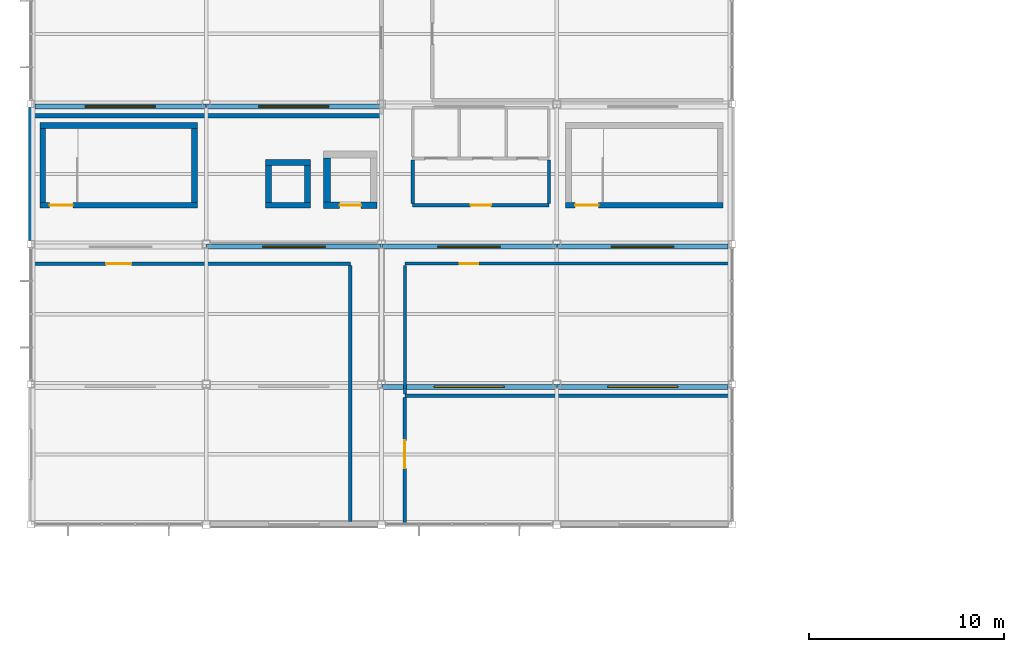
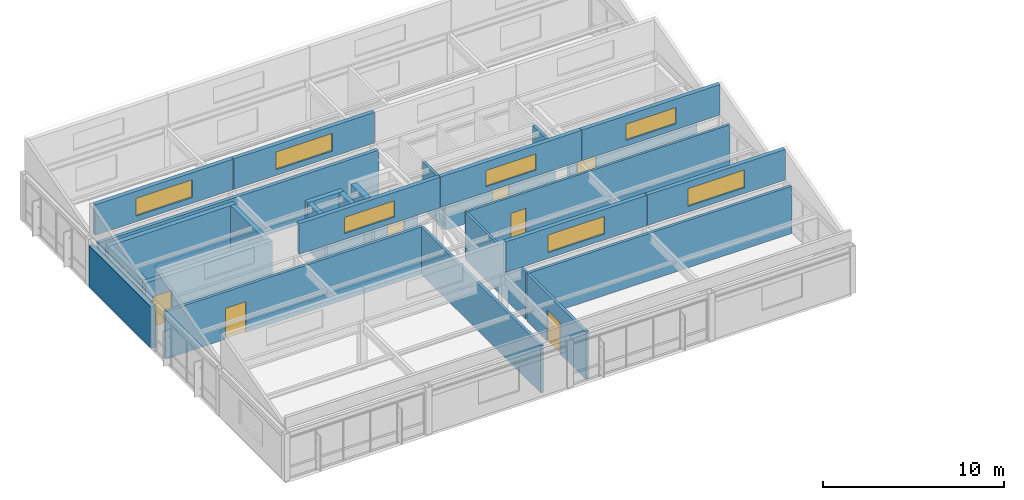
# One storey, part 35 of 43: 29 walls, 7 doors, 7 windows, 14 openings.
"""IFC4 building model written with IfcOpenShell, lengths in metres."""

import ifcopenshell
import ifcopenshell.guid

model = None  # the IFC model being written
_history = None  # IfcOwnerHistory: only IFC2X3 demands one
_inside = {}  # id of a spatial element -> (the spatial element, [elements in it])
_under = {}  # id of a project, library or spatial element -> (it, [spatial elements below it])
_declared = {}  # id of a project -> (the project, [libraries it declares])
_typed = {}  # id of a type object -> (the type object, [elements of that type])
_made_of = {}  # id of a material, layer set ... -> (it, [elements and type objects made of it])


def new_model(schema):
    """Start an empty IFC model of exactly this schema.

    Asked for "IFC4X3", IfcOpenShell would pick the latest addendum, in which some entities
    have other attributes; the version numbers below select the first issue.
    IFC2X3 requires an IfcOwnerHistory on every rooted entity: one is made here for all.
    """
    global model, _history
    if schema == "IFC4X3":
        model = ifcopenshell.file(schema_version=(4, 3, 0, 0))
    else:
        model = ifcopenshell.file(schema=schema)
    _inside.clear()
    _under.clear()
    _declared.clear()
    _typed.clear()
    _made_of.clear()
    _history = None
    if model.schema == "IFC2X3":
        org = make("IfcOrganization", Name="unknown")
        user = make(
            "IfcPersonAndOrganization",
            ThePerson=make("IfcPerson", FamilyName="unknown"),
            TheOrganization=org,
        )
        app = make(
            "IfcApplication",
            ApplicationDeveloper=org,
            Version="unknown",
            ApplicationFullName="unknown",
            ApplicationIdentifier="unknown",
        )
        _history = make(
            "IfcOwnerHistory",
            OwningUser=user,
            OwningApplication=app,
            ChangeAction="ADDED",
            CreationDate=0,
        )
    return model


def make(cls, **values):
    """One entity of the class cls with the attributes given. An attribute that is None is left unset."""
    return model.create_entity(
        cls, **{name: value for name, value in values.items() if value is not None}
    )


def rooted(cls, **values):
    """An entity with a GlobalId (a new one), such as an element, a storey or a relation."""
    return make(cls, GlobalId=ifcopenshell.guid.new(), OwnerHistory=_history, **values)


def si_unit(unit_type, name, prefix=None):
    """IfcSIUnit, for example si_unit("LENGTHUNIT", "METRE", prefix="MILLI")."""
    return make("IfcSIUnit", UnitType=unit_type, Prefix=prefix, Name=name)


def assignment(units):
    """IfcUnitAssignment: the units of a project."""
    return None if units is None else make("IfcUnitAssignment", Units=units)


def point(xyz):
    """IfcCartesianPoint."""
    return None if xyz is None else make("IfcCartesianPoint", Coordinates=xyz)


def direction(xyz):
    """IfcDirection."""
    return None if xyz is None else make("IfcDirection", DirectionRatios=xyz)


def frame(location, z_axis=None, x_axis=None):
    """IfcAxis2Placement3D, a coordinate frame: its origin and axes. An axis left out is left unset."""
    return make(
        "IfcAxis2Placement3D",
        Location=point(location),
        Axis=direction(z_axis),
        RefDirection=direction(x_axis),
    )


def frame_2d(location, x_axis=None):
    """IfcAxis2Placement2D, a coordinate frame in the plane: its origin and x axis."""
    return make(
        "IfcAxis2Placement2D", Location=point(location), RefDirection=direction(x_axis)
    )


def origin():
    """The frame at (0, 0, 0) with its axes left unset."""
    return frame((0.0, 0.0, 0.0))


def place(relative_to, where):
    """IfcLocalPlacement: puts the frame where relative to a parent placement (None: the world)."""
    return make(
        "IfcLocalPlacement", PlacementRelTo=relative_to, RelativePlacement=where
    )


def context(
    kind, dimensions, precision=None, world=None, true_north=None, identifier=None
):
    """IfcGeometricRepresentationContext, for example the 3D "Model" context."""
    return make(
        "IfcGeometricRepresentationContext",
        ContextIdentifier=identifier,
        ContextType=kind,
        CoordinateSpaceDimension=dimensions,
        Precision=precision,
        WorldCoordinateSystem=world,
        TrueNorth=true_north,
    )


def subcontext(parent, identifier, kind, view, scale=None):
    """IfcGeometricRepresentationSubContext, for example "Body" below "Model"."""
    return make(
        "IfcGeometricRepresentationSubContext",
        ContextIdentifier=identifier,
        ContextType=kind,
        ParentContext=parent,
        TargetScale=scale,
        TargetView=view,
    )


def project(units=None, contexts=None):
    """IfcProject with its units and contexts."""
    return rooted(
        "IfcProject",
        Name="project",
        RepresentationContexts=contexts,
        UnitsInContext=assignment(units),
    )


def spatial(cls, under=None, at=None, **own):
    """A site, building, storey or space (cls), placed at a placement, below another one or the project."""
    s = rooted(cls, ObjectPlacement=at, **own)
    if under is not None:
        _under.setdefault(under.id(), (under, []))[1].append(s)
    return s


def profile(cls, at=None, kind="AREA", **sizes):
    """A parametric profile (cls). Its sizes go by their IFC names, for example OverallWidth=200.0."""
    return make(cls, ProfileType=kind, Position=at, **sizes)


def rectangle(**sizes):
    """IfcRectangleProfileDef."""
    return profile("IfcRectangleProfileDef", **sizes)


def extrude(swept, where, along, depth):
    """IfcExtrudedAreaSolid: the profile swept, set in the frame where, extruded along a direction by depth."""
    return make(
        "IfcExtrudedAreaSolid",
        SweptArea=swept,
        Position=where,
        ExtrudedDirection=direction(along),
        Depth=depth,
    )


def shape(context_of_items, identifier, shape_type, items):
    """IfcShapeRepresentation: the items that make up one representation, for example the "Body"."""
    return make(
        "IfcShapeRepresentation",
        ContextOfItems=context_of_items,
        RepresentationIdentifier=identifier,
        RepresentationType=shape_type,
        Items=items,
    )


def material(Name=None, Category=None):
    """IfcMaterial."""
    return make("IfcMaterial", Name=Name, Category=Category)


def layer(
    of_material, thickness, ventilated=None, Name=None, Category=None, Priority=None
):
    """IfcMaterialLayer: one layer of a wall or slab, of a material (None: an air gap)."""
    return make(
        "IfcMaterialLayer",
        Material=of_material,
        LayerThickness=thickness,
        IsVentilated=ventilated,
        Name=Name,
        Category=Category,
        Priority=Priority,
    )


def layer_set(layers, Name=None):
    """IfcMaterialLayerSet."""
    return make("IfcMaterialLayerSet", MaterialLayers=layers, LayerSetName=Name)


def made_of(thing, what):
    """Note that an element or type object is made of a material, layer set ...; save() writes the relation."""
    if what is not None:
        _made_of.setdefault(what.id(), (what, []))[1].append(thing)
    return thing


def type_object(cls, material=None, **own):
    """A type object (cls), such as IfcWallType, which elements share."""
    return made_of(rooted(cls, **own), material)


def element(
    cls,
    number,
    at=None,
    inside=None,
    cuts=None,
    type_object=None,
    material=None,
    context=None,
    identifier="Body",
    shape_type=None,
    held_by="IfcProductDefinitionShape",
    body=None,
    shapes=None,
    **own,
):
    """One element of the class cls, such as IfcWall. Its Tag is "e" and its number.

    at: its placement. inside: the storey or other place that contains it. cuts: it is an
    opening in that element (IfcRelVoidsElement). A single representation is given by context,
    identifier, shape_type and body (its items); several are given by shapes. held_by: the class
    of the entity that holds the representations. save() writes the other relations.
    """
    e = rooted(cls, Tag="e%d" % number, ObjectPlacement=at, **own)
    if body is not None:
        shapes = [shape(context, identifier, shape_type, body)]
    if shapes is not None:
        e.Representation = make(held_by, Representations=shapes)
    if inside is not None:
        _inside.setdefault(inside.id(), (inside, []))[1].append(e)
    if cuts is not None:
        rooted(
            "IfcRelVoidsElement", RelatingBuildingElement=cuts, RelatedOpeningElement=e
        )
    if type_object is not None:
        _typed.setdefault(type_object.id(), (type_object, []))[1].append(e)
    return made_of(e, material)


def fill(opening, filler):
    """IfcRelFillsElement: the door or window that sits in an opening."""
    return rooted(
        "IfcRelFillsElement",
        RelatingOpeningElement=opening,
        RelatedBuildingElement=filler,
    )


def aggregate(whole, parts):
    """IfcRelAggregates: a whole, such as a stair, and the parts it consists of."""
    return rooted("IfcRelAggregates", RelatingObject=whole, RelatedObjects=parts)


def save(model, path):
    """Write the relations noted so far, then the file.

    IfcRelAggregates (storeys below a building ...), IfcRelContainedInSpatialStructure (elements
    in a storey), IfcRelDefinesByType, IfcRelAssociatesMaterial and IfcRelDeclares: one each for
    every whole, place, type object, material and project.
    """
    for whole, parts in _under.values():
        aggregate(whole, parts)
    for where, things in _inside.values():
        rooted(
            "IfcRelContainedInSpatialStructure",
            RelatedElements=things,
            RelatingStructure=where,
        )
    for kind, things in _typed.values():
        rooted("IfcRelDefinesByType", RelatedObjects=things, RelatingType=kind)
    for what, things in _made_of.values():
        rooted("IfcRelAssociatesMaterial", RelatedObjects=things, RelatingMaterial=what)
    for by, libraries in _declared.values():
        rooted("IfcRelDeclares", RelatingContext=by, RelatedDefinitions=libraries)
    model.write(path)


model = new_model("IFC4")

# Units and contexts
model_context = context("Model", 3, precision=1e-05, world=origin(), true_north=direction((0.0, 1.0)))
body_context = subcontext(model_context, "Body", "Model", "MODEL_VIEW")
ifc_project = project(units=[si_unit("LENGTHUNIT", "METRE"), si_unit("AREAUNIT", "SQUARE_METRE"), si_unit("VOLUMEUNIT", "CUBIC_METRE"), si_unit("PLANEANGLEUNIT", "RADIAN"), si_unit("MASSUNIT", "GRAM", prefix="KILO")], contexts=[model_context])

# Site, building, storey
site_placement = place(None, origin())
site = spatial("IfcSite", under=ifc_project, at=site_placement, CompositionType="ELEMENT")
building_placement = place(site_placement, origin())
building = spatial("IfcBuilding", under=site, at=building_placement, Name="Kazanami Central Library", CompositionType="ELEMENT")
storey_placement = place(building_placement, frame((0.0, 0.0, 20.60009765625)))
storey = spatial("IfcBuildingStorey", under=building, at=storey_placement, Name="L06", CompositionType="ELEMENT", Elevation=20.60009765625)

# Wall, opening, window
ifc_material_1 = material(Name="Concrete Fc36 (36 MPa)", Category="concrete")
ifc_layer_1 = layer(ifc_material_1, 0.179931640625, Name="Concrete Fc36 (36 MPa)")
ifc_material_2 = material(Name="Extruded Polystyrene XPS", Category="earth")
ifc_layer_2 = layer(ifc_material_2, 0.050048828125, Name="Extruded Polystyrene XPS")
ifc_material_3 = material(Name="Honed Inada Granite", Category="masonry")
ifc_layer_3 = layer(ifc_material_3, 0.030029296875, Name="Honed Inada Granite")
ifc_layer_set_1 = layer_set([ifc_layer_1, ifc_layer_2, ifc_layer_3], Name="Concrete Fc36 (36 MPa)")
wall_type_1 = type_object("IfcWallType", Name="WAL-EW-260", PredefinedType="STANDARD", material=ifc_layer_set_1)
wall_1_placement = place(storey_placement, frame((26.97998046875, 71.8701171875, 3.39990234375), z_axis=(0.0, 0.0, 1.0), x_axis=(-1.0, 0.0, 0.0)))
wall_1 = element("IfcWall", 1, at=wall_1_placement, inside=storey, type_object=wall_type_1, Name="North-Light Sawtooth Clerestory Wall SAW-L06-V4-1 Bay 3", PredefinedType="STANDARD", context=body_context, shape_type="SweptSolid", body=[
    extrude(rectangle(XDim=8.9599609375, YDim=0.260009765625, at=frame_2d((4.47998046875, 0.0))), origin(), (0.0, 0.0, 1.0), 2.050048828125),
])
opening_1_placement = place(wall_1_placement, frame((2.679931640625, 0.0, 0.3798828125)))
opening_1 = element("IfcOpeningElement", 2, at=opening_1_placement, cuts=wall_1, Name="Opening WN-CL1", PredefinedType="OPENING", context=body_context, shape_type="SweptSolid", body=[
    extrude(rectangle(XDim=3.60009765625, YDim=1.199951171875, at=frame_2d((1.800048828125, 0.60009765625))), frame((0.0, 0.14208984375, 0.0), z_axis=(0.0, -1.0, 0.0), x_axis=(1.0, 0.0, 0.0)), (0.0, 0.0, 1.0), 0.283935546875),
])
ifc_material_4 = material(Name="Low-E Insulated Triple Glass", Category="glass")
window_type_1 = type_object("IfcWindowType", Name="WIN-WN-CL1", PartitioningType="DOUBLE_PANEL_VERTICAL", PredefinedType="WINDOW", material=ifc_material_4)
window_1_placement = place(opening_1_placement, origin())
window_1 = element("IfcWindow", 3, at=window_1_placement, inside=storey, type_object=window_type_1, Name="North-Light Sawtooth Clerestory Window WN-CL1 SAW-L06-V4-1.3", OverallHeight=1.199951171875, OverallWidth=3.60009765625, PartitioningType="DOUBLE_PANEL_VERTICAL", PredefinedType="WINDOW", context=body_context, shape_type="SweptSolid", body=[
    extrude(rectangle(XDim=3.60009765625, YDim=1.199951171875, at=frame_2d((1.800048828125, 0.60009765625))), frame((0.0, 0.030029296875, 0.0), z_axis=(0.0, -1.0, 0.0), x_axis=(1.0, 0.0, 0.0)), (0.0, 0.0, 1.0), 0.06005859375),
])
fill(opening_1, window_1)

wall_2_placement = place(storey_placement, frame((35.800048828125, 71.8701171875, 3.39990234375), z_axis=(0.0, 0.0, 1.0), x_axis=(-1.0, 0.0, 0.0)))
wall_2 = element("IfcWall", 4, at=wall_2_placement, inside=storey, type_object=wall_type_1, Name="North-Light Sawtooth Clerestory Wall SAW-L06-V4-1 Bay 4", PredefinedType="STANDARD", context=body_context, shape_type="SweptSolid", body=[
    extrude(rectangle(XDim=8.780029296875, YDim=0.260009765625, at=frame_2d((4.39013671875, 0.0))), origin(), (0.0, 0.0, 1.0), 2.050048828125),
])
opening_2_placement = place(wall_2_placement, frame((2.590087890625, 0.0, 0.3798828125)))
opening_2 = element("IfcOpeningElement", 5, at=opening_2_placement, cuts=wall_2, Name="Opening WN-CL1", PredefinedType="OPENING", context=body_context, shape_type="SweptSolid", body=[
    extrude(rectangle(XDim=3.60009765625, YDim=1.199951171875, at=frame_2d((1.800048828125, 0.60009765625))), frame((0.0, 0.14208984375, 0.0), z_axis=(0.0, -1.0, 0.0), x_axis=(1.0, 0.0, 0.0)), (0.0, 0.0, 1.0), 0.283935546875),
])
window_2_placement = place(opening_2_placement, origin())
window_2 = element("IfcWindow", 6, at=window_2_placement, inside=storey, type_object=window_type_1, Name="North-Light Sawtooth Clerestory Window WN-CL1 SAW-L06-V4-1.4", OverallHeight=1.199951171875, OverallWidth=3.60009765625, PartitioningType="DOUBLE_PANEL_VERTICAL", PredefinedType="WINDOW", context=body_context, shape_type="SweptSolid", body=[
    extrude(rectangle(XDim=3.60009765625, YDim=1.199951171875, at=frame_2d((1.800048828125, 0.60009765625))), frame((0.0, 0.030029296875, 0.0), z_axis=(0.0, -1.0, 0.0), x_axis=(1.0, 0.0, 0.0)), (0.0, 0.0, 1.0), 0.06005859375),
])
fill(opening_2, window_2)

wall_3_placement = place(storey_placement, frame((17.97998046875, 79.070068359375, 3.39990234375), z_axis=(0.0, 0.0, 1.0), x_axis=(-1.0, 0.0, 0.0)))
wall_3 = element("IfcWall", 7, at=wall_3_placement, inside=storey, type_object=wall_type_1, Name="North-Light Sawtooth Clerestory Wall SAW-L06-V4-2 Bay 2", PredefinedType="STANDARD", context=body_context, shape_type="SweptSolid", body=[
    extrude(rectangle(XDim=8.9599609375, YDim=0.260009765625, at=frame_2d((4.47998046875, 0.0))), origin(), (0.0, 0.0, 1.0), 2.050048828125),
])
opening_3_placement = place(wall_3_placement, frame((2.8798828125, 0.0, 0.3798828125)))
opening_3 = element("IfcOpeningElement", 8, at=opening_3_placement, cuts=wall_3, Name="Opening WN-CL2", PredefinedType="OPENING", context=body_context, shape_type="SweptSolid", body=[
    extrude(rectangle(XDim=3.199951171875, YDim=1.10009765625, at=frame_2d((1.60009765625, 0.550048828125))), frame((0.0, 0.14208984375, 0.0), z_axis=(0.0, -1.0, 0.0), x_axis=(1.0, 0.0, 0.0)), (0.0, 0.0, 1.0), 0.283935546875),
])
window_type_2 = type_object("IfcWindowType", Name="WIN-WN-CL2", PartitioningType="DOUBLE_PANEL_VERTICAL", PredefinedType="WINDOW", material=ifc_material_4)
window_3_placement = place(opening_3_placement, origin())
window_3 = element("IfcWindow", 9, at=window_3_placement, inside=storey, type_object=window_type_2, Name="North-Light Sawtooth Clerestory Window WN-CL2 SAW-L06-V4-2.2", OverallHeight=1.10009765625, OverallWidth=3.199951171875, PartitioningType="DOUBLE_PANEL_VERTICAL", PredefinedType="WINDOW", context=body_context, shape_type="SweptSolid", body=[
    extrude(rectangle(XDim=3.199951171875, YDim=1.10009765625, at=frame_2d((1.60009765625, 0.550048828125))), frame((0.0, 0.030029296875, 0.0), z_axis=(0.0, -1.0, 0.0), x_axis=(1.0, 0.0, 0.0)), (0.0, 0.0, 1.0), 0.06005859375),
])
fill(opening_3, window_3)

wall_4_placement = place(storey_placement, frame((26.97998046875, 79.070068359375, 3.39990234375), z_axis=(0.0, 0.0, 1.0), x_axis=(-1.0, 0.0, 0.0)))
wall_4 = element("IfcWall", 10, at=wall_4_placement, inside=storey, type_object=wall_type_1, Name="North-Light Sawtooth Clerestory Wall SAW-L06-V4-2 Bay 3", PredefinedType="STANDARD", context=body_context, shape_type="SweptSolid", body=[
    extrude(rectangle(XDim=8.9599609375, YDim=0.260009765625, at=frame_2d((4.47998046875, 0.0))), origin(), (0.0, 0.0, 1.0), 2.050048828125),
])
opening_4_placement = place(wall_4_placement, frame((2.8798828125, 0.0, 0.3798828125)))
opening_4 = element("IfcOpeningElement", 11, at=opening_4_placement, cuts=wall_4, Name="Opening WN-CL2", PredefinedType="OPENING", context=body_context, shape_type="SweptSolid", body=[
    extrude(rectangle(XDim=3.199951171875, YDim=1.10009765625, at=frame_2d((1.60009765625, 0.550048828125))), frame((0.0, 0.14208984375, 0.0), z_axis=(0.0, -1.0, 0.0), x_axis=(1.0, 0.0, 0.0)), (0.0, 0.0, 1.0), 0.283935546875),
])
window_4_placement = place(opening_4_placement, origin())
window_4 = element("IfcWindow", 12, at=window_4_placement, inside=storey, type_object=window_type_2, Name="North-Light Sawtooth Clerestory Window WN-CL2 SAW-L06-V4-2.3", OverallHeight=1.10009765625, OverallWidth=3.199951171875, PartitioningType="DOUBLE_PANEL_VERTICAL", PredefinedType="WINDOW", context=body_context, shape_type="SweptSolid", body=[
    extrude(rectangle(XDim=3.199951171875, YDim=1.10009765625, at=frame_2d((1.60009765625, 0.550048828125))), frame((0.0, 0.030029296875, 0.0), z_axis=(0.0, -1.0, 0.0), x_axis=(1.0, 0.0, 0.0)), (0.0, 0.0, 1.0), 0.06005859375),
])
fill(opening_4, window_4)

wall_5_placement = place(storey_placement, frame((35.800048828125, 79.070068359375, 3.39990234375), z_axis=(0.0, 0.0, 1.0), x_axis=(-1.0, 0.0, 0.0)))
wall_5 = element("IfcWall", 13, at=wall_5_placement, inside=storey, type_object=wall_type_1, Name="North-Light Sawtooth Clerestory Wall SAW-L06-V4-2 Bay 4", PredefinedType="STANDARD", context=body_context, shape_type="SweptSolid", body=[
    extrude(rectangle(XDim=8.780029296875, YDim=0.260009765625, at=frame_2d((4.39013671875, 0.0))), origin(), (0.0, 0.0, 1.0), 2.050048828125),
])
opening_5_placement = place(wall_5_placement, frame((2.7900390625, 0.0, 0.3798828125)))
opening_5 = element("IfcOpeningElement", 14, at=opening_5_placement, cuts=wall_5, Name="Opening WN-CL2", PredefinedType="OPENING", context=body_context, shape_type="SweptSolid", body=[
    extrude(rectangle(XDim=3.199951171875, YDim=1.10009765625, at=frame_2d((1.60009765625, 0.550048828125))), frame((0.0, 0.14208984375, 0.0), z_axis=(0.0, -1.0, 0.0), x_axis=(1.0, 0.0, 0.0)), (0.0, 0.0, 1.0), 0.283935546875),
])
window_5_placement = place(opening_5_placement, origin())
window_5 = element("IfcWindow", 15, at=window_5_placement, inside=storey, type_object=window_type_2, Name="North-Light Sawtooth Clerestory Window WN-CL2 SAW-L06-V4-2.4", OverallHeight=1.10009765625, OverallWidth=3.199951171875, PartitioningType="DOUBLE_PANEL_VERTICAL", PredefinedType="WINDOW", context=body_context, shape_type="SweptSolid", body=[
    extrude(rectangle(XDim=3.199951171875, YDim=1.10009765625, at=frame_2d((1.60009765625, 0.550048828125))), frame((0.0, 0.030029296875, 0.0), z_axis=(0.0, -1.0, 0.0), x_axis=(1.0, 0.0, 0.0)), (0.0, 0.0, 1.0), 0.06005859375),
])
fill(opening_5, window_5)

wall_6_placement = place(storey_placement, frame((8.97998046875, 86.27001953125, 3.39990234375), z_axis=(0.0, 0.0, 1.0), x_axis=(-1.0, 0.0, 0.0)))
wall_6 = element("IfcWall", 16, at=wall_6_placement, inside=storey, type_object=wall_type_1, Name="North-Light Sawtooth Clerestory Wall SAW-L06-V4-3 Bay 1", PredefinedType="STANDARD", context=body_context, shape_type="SweptSolid", body=[
    extrude(rectangle(XDim=8.780029296875, YDim=0.260009765625, at=frame_2d((4.39013671875, 0.0))), origin(), (0.0, 0.0, 1.0), 2.050048828125),
])
opening_6_placement = place(wall_6_placement, frame((2.590087890625, 0.0, 0.3798828125)))
opening_6 = element("IfcOpeningElement", 17, at=opening_6_placement, cuts=wall_6, Name="Opening WN-CL1", PredefinedType="OPENING", context=body_context, shape_type="SweptSolid", body=[
    extrude(rectangle(XDim=3.60009765625, YDim=1.199951171875, at=frame_2d((1.800048828125, 0.60009765625))), frame((0.0, 0.14208984375, 0.0), z_axis=(0.0, -1.0, 0.0), x_axis=(1.0, 0.0, 0.0)), (0.0, 0.0, 1.0), 0.283935546875),
])
window_6_placement = place(opening_6_placement, origin())
window_6 = element("IfcWindow", 18, at=window_6_placement, inside=storey, type_object=window_type_1, Name="North-Light Sawtooth Clerestory Window WN-CL1 SAW-L06-V4-3.1", OverallHeight=1.199951171875, OverallWidth=3.60009765625, PartitioningType="DOUBLE_PANEL_VERTICAL", PredefinedType="WINDOW", context=body_context, shape_type="SweptSolid", body=[
    extrude(rectangle(XDim=3.60009765625, YDim=1.199951171875, at=frame_2d((1.800048828125, 0.60009765625))), frame((0.0, 0.030029296875, 0.0), z_axis=(0.0, -1.0, 0.0), x_axis=(1.0, 0.0, 0.0)), (0.0, 0.0, 1.0), 0.06005859375),
])
fill(opening_6, window_6)

wall_7_placement = place(storey_placement, frame((17.97998046875, 86.27001953125, 3.39990234375), z_axis=(0.0, 0.0, 1.0), x_axis=(-1.0, 0.0, 0.0)))
wall_7 = element("IfcWall", 19, at=wall_7_placement, inside=storey, type_object=wall_type_1, Name="North-Light Sawtooth Clerestory Wall SAW-L06-V4-3 Bay 2", PredefinedType="STANDARD", context=body_context, shape_type="SweptSolid", body=[
    extrude(rectangle(XDim=8.9599609375, YDim=0.260009765625, at=frame_2d((4.47998046875, 0.0))), origin(), (0.0, 0.0, 1.0), 2.050048828125),
])
opening_7_placement = place(wall_7_placement, frame((2.679931640625, 0.0, 0.3798828125)))
opening_7 = element("IfcOpeningElement", 20, at=opening_7_placement, cuts=wall_7, Name="Opening WN-CL1", PredefinedType="OPENING", context=body_context, shape_type="SweptSolid", body=[
    extrude(rectangle(XDim=3.60009765625, YDim=1.199951171875, at=frame_2d((1.800048828125, 0.60009765625))), frame((0.0, 0.14208984375, 0.0), z_axis=(0.0, -1.0, 0.0), x_axis=(1.0, 0.0, 0.0)), (0.0, 0.0, 1.0), 0.283935546875),
])
window_7_placement = place(opening_7_placement, origin())
window_7 = element("IfcWindow", 21, at=window_7_placement, inside=storey, type_object=window_type_1, Name="North-Light Sawtooth Clerestory Window WN-CL1 SAW-L06-V4-3.2", OverallHeight=1.199951171875, OverallWidth=3.60009765625, PartitioningType="DOUBLE_PANEL_VERTICAL", PredefinedType="WINDOW", context=body_context, shape_type="SweptSolid", body=[
    extrude(rectangle(XDim=3.60009765625, YDim=1.199951171875, at=frame_2d((1.800048828125, 0.60009765625))), frame((0.0, 0.030029296875, 0.0), z_axis=(0.0, -1.0, 0.0), x_axis=(1.0, 0.0, 0.0)), (0.0, 0.0, 1.0), 0.06005859375),
])
fill(opening_7, window_7)

# Wall
ifc_layer_4 = layer(ifc_material_1, 0.199951171875, Name="Concrete Fc36 (36 MPa)")
ifc_layer_5 = layer(ifc_material_2, 0.050048828125, Name="Extruded Polystyrene XPS")
ifc_layer_6 = layer(ifc_material_3, 0.030029296875, Name="Honed Inada Granite")
ifc_layer_set_2 = layer_set([ifc_layer_4, ifc_layer_5, ifc_layer_6], Name="Concrete Fc36 (36 MPa)")
wall_type_2 = type_object("IfcWallType", Name="WAL-EW-280", PredefinedType="STANDARD", material=ifc_layer_set_2)
wall_8_placement = place(storey_placement, frame((0.0, 79.375, 0.0), z_axis=(0.0, 0.0, 1.0), x_axis=(0.0, 1.0, 0.0)))
element("IfcWall", 22, at=wall_8_placement, inside=storey, type_object=wall_type_2, Name="Exterior Facade Wall EW-280 L06 W-1-11", PredefinedType="STANDARD", context=body_context, shape_type="SweptSolid", body=[
    extrude(rectangle(XDim=6.85009765625, YDim=0.280029296875, at=frame_2d((3.425048828125, 0.0))), origin(), (0.0, 0.0, 1.0), 2.77978515625),
])

# Wall, opening, door
ifc_material_5 = material(Name="Fire-Resistant Gypsum Board GB-F", Category="gypsum")
ifc_layer_7 = layer(ifc_material_5, 0.1650390625, Name="Fire-Resistant Gypsum Board GB-F")
ifc_layer_set_3 = layer_set([ifc_layer_7], Name="Fire-Resistant Gypsum Board GB-F")
wall_type_3 = type_object("IfcWallType", Name="WAL-FW-165", PredefinedType="PARTITIONING", material=ifc_layer_set_3)
wall_9_placement = place(storey_placement, frame((19.60009765625, 81.199951171875, 0.0), z_axis=(0.0, 0.0, 1.0), x_axis=(1.0, 0.0, 0.0)))
wall_9 = element("IfcWall", 23, at=wall_9_placement, inside=storey, type_object=wall_type_3, Name="Interior Partition FW-165 L06 WC-V4-LOB (South)", PredefinedType="PARTITIONING", context=body_context, shape_type="SweptSolid", body=[
    extrude(rectangle(XDim=7.0, YDim=0.1650390625, at=frame_2d((3.5, 0.0))), origin(), (0.0, 0.0, 1.0), 3.179931640625),
])
opening_8_placement = place(wall_9_placement, frame((2.97509765625, 0.0, 0.0)))
opening_8 = element("IfcOpeningElement", 24, at=opening_8_placement, cuts=wall_9, Name="Opening FD30-1", PredefinedType="OPENING", context=body_context, shape_type="SweptSolid", body=[
    extrude(rectangle(XDim=1.050048828125, YDim=2.10009765625, at=frame_2d((0.52490234375, 1.050048828125))), frame((0.0, 0.094482421875, 0.0), z_axis=(0.0, -1.0, 0.0), x_axis=(1.0, 0.0, 0.0)), (0.0, 0.0, 1.0), 0.18896484375),
])
ifc_material_6 = material(Name="Cold-Rolled Steel SPCC", Category="steel")
door_type_1 = type_object("IfcDoorType", Name="DOR-FD30-1", OperationType="NOTDEFINED", PredefinedType="DOOR", material=ifc_material_6)
door_1_placement = place(opening_8_placement, origin())
door_1 = element("IfcDoor", 25, at=door_1_placement, inside=storey, type_object=door_type_1, Name="Interior Door FD30-1 L06 WC-V4-LOB", OperationType="SINGLE_SWING_LEFT", OverallHeight=2.10009765625, OverallWidth=1.050048828125, PredefinedType="DOOR", context=body_context, shape_type="SweptSolid", body=[
    extrude(rectangle(XDim=1.050048828125, YDim=2.10009765625, at=frame_2d((0.52490234375, 1.050048828125))), frame((0.0, 0.02490234375, 0.0), z_axis=(0.0, -1.0, 0.0), x_axis=(1.0, 0.0, 0.0)), (0.0, 0.0, 1.0), 0.050048828125),
])
fill(opening_8, door_1)

# Walls
for number, where, z_axis, x_axis, name in (
    (26, (19.60009765625, 81.2900390625, 0.0), (0.0, 0.0, 1.0), (0.0, 1.0, 0.0), "Interior Partition FW-165 L06 WC-V4-LOB (West)"),
    (27, (26.60009765625, 81.2900390625, 0.0), (0.0, 0.0, 1.0), (0.0, 1.0, 0.0), "Interior Partition FW-165 L06 WC-V4-LOB (East)"),
):
    element("IfcWall", number, at=place(storey_placement, frame(where, z_axis=z_axis, x_axis=x_axis)), inside=storey, type_object=wall_type_3, Name=name, PredefinedType="PARTITIONING", context=body_context, shape_type="SweptSolid", body=[
        extrude(rectangle(XDim=2.219970703125, YDim=0.1650390625, at=frame_2d((1.10986328125, 0.0))), origin(), (0.0, 0.0, 1.0), 3.179931640625),
    ])

# Wall, opening, door
ifc_layer_8 = layer(ifc_material_5, 0.179931640625, Name="Fire-Resistant Gypsum Board GB-F")
ifc_layer_set_4 = layer_set([ifc_layer_8], Name="Fire-Resistant Gypsum Board GB-F")
wall_type_4 = type_object("IfcWallType", Name="WAL-FW-180", PredefinedType="PARTITIONING", material=ifc_layer_set_4)
wall_10_placement = place(storey_placement, frame((0.034912109375, 78.199951171875, 0.0), z_axis=(0.0, 0.0, 1.0), x_axis=(1.0, 0.0, 0.0)))
wall_10 = element("IfcWall", 28, at=wall_10_placement, inside=storey, type_object=wall_type_4, Name="Interior Partition FW-180 L06 RM-04 (North)", PredefinedType="PARTITIONING", context=body_context, shape_type="SweptSolid", body=[
    extrude(rectangle(XDim=16.364990234375, YDim=0.179931640625, at=frame_2d((8.1826171875, 0.0))), origin(), (0.0, 0.0, 1.0), 3.179931640625),
])
opening_9_placement = place(wall_10_placement, frame((3.81494140625, 0.0, 0.0)))
opening_9 = element("IfcOpeningElement", 29, at=opening_9_placement, cuts=wall_10, Name="Opening FD30-7", PredefinedType="OPENING", context=body_context, shape_type="SweptSolid", body=[
    extrude(rectangle(XDim=1.300048828125, YDim=2.080078125, at=frame_2d((0.64990234375, 1.0400390625))), frame((0.0, 0.10205078125, 0.0), z_axis=(0.0, -1.0, 0.0), x_axis=(1.0, 0.0, 0.0)), (0.0, 0.0, 1.0), 0.203857421875),
])
door_type_2 = type_object("IfcDoorType", Name="DOR-FD30-7", OperationType="DOUBLE_DOOR_SINGLE_SWING", PredefinedType="DOOR", material=ifc_material_6)
door_2_placement = place(opening_9_placement, origin())
door_2 = element("IfcDoor", 30, at=door_2_placement, inside=storey, type_object=door_type_2, Name="Interior Door FD30-7 L06 RM-04", OperationType="DOUBLE_DOOR_SINGLE_SWING", OverallHeight=2.080078125, OverallWidth=1.300048828125, PredefinedType="DOOR", context=body_context, shape_type="SweptSolid", body=[
    extrude(rectangle(XDim=1.300048828125, YDim=2.080078125, at=frame_2d((0.64990234375, 1.0400390625))), frame((0.0, 0.02490234375, 0.0), z_axis=(0.0, -1.0, 0.0), x_axis=(1.0, 0.0, 0.0)), (0.0, 0.0, 1.0), 0.050048828125),
])
fill(opening_9, door_2)

# Walls
wall_11_placement = place(storey_placement, frame((16.39990234375, 64.945068359375, 0.0), z_axis=(0.0, 0.0, 1.0), x_axis=(0.0, 1.0, 0.0)))
element("IfcWall", 31, at=wall_11_placement, inside=storey, type_object=wall_type_4, Name="Interior Partition FW-180 L06 RM-04 (East)", PredefinedType="PARTITIONING", context=body_context, shape_type="SweptSolid", body=[
    extrude(rectangle(XDim=13.1650390625, YDim=0.179931640625, at=frame_2d((6.58251953125, 0.0))), origin(), (0.0, 0.0, 1.0), 3.179931640625),
])
wall_12_placement = place(storey_placement, frame((19.199951171875, 71.39990234375, 0.0), z_axis=(0.0, 0.0, 1.0), x_axis=(1.0, 0.0, 0.0)))
element("IfcWall", 32, at=wall_12_placement, inside=storey, type_object=wall_type_4, Name="Interior Partition FW-180 L06 RM-05 (North)", PredefinedType="PARTITIONING", context=body_context, shape_type="SweptSolid", body=[
    extrude(rectangle(XDim=16.76513671875, YDim=0.179931640625, at=frame_2d((8.382568359375, 0.0))), origin(), (0.0, 0.0, 1.0), 3.179931640625),
])

# Wall, opening, door
wall_13_placement = place(storey_placement, frame((19.199951171875, 64.8349609375, 0.0), z_axis=(0.0, 0.0, 1.0), x_axis=(0.0, 1.0, 0.0)))
wall_13 = element("IfcWall", 33, at=wall_13_placement, inside=storey, type_object=wall_type_4, Name="Interior Partition FW-180 L06 RM-05 (West)", PredefinedType="PARTITIONING", context=body_context, shape_type="SweptSolid", body=[
    extrude(rectangle(XDim=6.47509765625, YDim=0.179931640625, at=frame_2d((3.237548828125, 0.0))), origin(), (0.0, 0.0, 1.0), 3.179931640625),
])
opening_10_placement = place(wall_13_placement, frame((2.840087890625, 0.0, 0.0)))
opening_10 = element("IfcOpeningElement", 34, at=opening_10_placement, cuts=wall_13, Name="Opening FD30-6", PredefinedType="OPENING", context=body_context, shape_type="SweptSolid", body=[
    extrude(rectangle(XDim=1.449951171875, YDim=2.10009765625, at=frame_2d((0.72509765625, 1.050048828125))), frame((0.0, 0.10205078125, 0.0), z_axis=(0.0, -1.0, 0.0), x_axis=(1.0, 0.0, 0.0)), (0.0, 0.0, 1.0), 0.203857421875),
])
door_type_3 = type_object("IfcDoorType", Name="DOR-FD30-6", OperationType="DOUBLE_DOOR_SINGLE_SWING", PredefinedType="DOOR", material=ifc_material_6)
door_3_placement = place(opening_10_placement, origin())
door_3 = element("IfcDoor", 35, at=door_3_placement, inside=storey, type_object=door_type_3, Name="Interior Door FD30-6 L06 RM-05", OperationType="DOUBLE_DOOR_SINGLE_SWING", OverallHeight=2.10009765625, OverallWidth=1.449951171875, PredefinedType="DOOR", context=body_context, shape_type="SweptSolid", body=[
    extrude(rectangle(XDim=1.449951171875, YDim=2.10009765625, at=frame_2d((0.72509765625, 1.050048828125))), frame((0.0, 0.02490234375, 0.0), z_axis=(0.0, -1.0, 0.0), x_axis=(1.0, 0.0, 0.0)), (0.0, 0.0, 1.0), 0.050048828125),
])
fill(opening_10, door_3)

# Wall
ifc_layer_9 = layer(ifc_material_5, 0.219970703125, Name="Fire-Resistant Gypsum Board GB-F")
ifc_layer_set_5 = layer_set([ifc_layer_9], Name="Fire-Resistant Gypsum Board GB-F")
wall_type_5 = type_object("IfcWallType", Name="WAL-FW-220", PredefinedType="PARTITIONING", material=ifc_layer_set_5)
wall_14_placement = place(storey_placement, frame((0.14501953125, 85.800048828125, 0.0), z_axis=(0.0, 0.0, 1.0), x_axis=(1.0, 0.0, 0.0)))
element("IfcWall", 36, at=wall_14_placement, inside=storey, type_object=wall_type_5, Name="Interior Partition FW-220 L06 RM-07 (South)", PredefinedType="PARTITIONING", context=body_context, shape_type="SweptSolid", body=[
    extrude(rectangle(XDim=17.85498046875, YDim=0.219970703125, at=frame_2d((8.927490234375, 0.0))), origin(), (0.0, 0.0, 1.0), 3.179931640625),
])

# Wall, opening, door
ifc_material_7 = material(Name="Gypsum Plasterboard GB-R", Category="gypsum")
ifc_layer_10 = layer(ifc_material_7, 0.14990234375, Name="Gypsum Plasterboard GB-R")
ifc_layer_set_6 = layer_set([ifc_layer_10], Name="Gypsum Plasterboard GB-R")
wall_type_6 = type_object("IfcWallType", Name="WAL-PW-150", PredefinedType="PARTITIONING", material=ifc_layer_set_6)
wall_15_placement = place(storey_placement, frame((19.199951171875, 78.199951171875, 0.0), z_axis=(0.0, 0.0, 1.0), x_axis=(1.0, 0.0, 0.0)))
wall_15 = element("IfcWall", 37, at=wall_15_placement, inside=storey, type_object=wall_type_6, Name="Interior Partition PW-150 L06 RM-06 (North)", PredefinedType="PARTITIONING", context=body_context, shape_type="SweptSolid", body=[
    extrude(rectangle(XDim=16.76513671875, YDim=0.14990234375, at=frame_2d((8.382568359375, 0.0))), origin(), (0.0, 0.0, 1.0), 3.179931640625),
])
opening_11_placement = place(wall_15_placement, frame((2.820068359375, 0.0, 0.0)))
opening_11 = element("IfcOpeningElement", 38, at=opening_11_placement, cuts=wall_15, Name="Opening ID-04", PredefinedType="OPENING", context=body_context, shape_type="SweptSolid", body=[
    extrude(rectangle(XDim=0.9599609375, YDim=2.10009765625, at=frame_2d((0.47998046875, 1.050048828125))), frame((0.0, 0.0869140625, 0.0), z_axis=(0.0, -1.0, 0.0), x_axis=(1.0, 0.0, 0.0)), (0.0, 0.0, 1.0), 0.173828125),
])
ifc_material_8 = material(Name="White Oak Hardwood", Category="wood")
door_type_4 = type_object("IfcDoorType", Name="DOR-ID-04", OperationType="NOTDEFINED", PredefinedType="DOOR", material=ifc_material_8)
door_4_placement = place(opening_11_placement, origin())
door_4 = element("IfcDoor", 39, at=door_4_placement, inside=storey, type_object=door_type_4, Name="Interior Door ID-04 L06 RM-06", OperationType="SINGLE_SWING_LEFT", OverallHeight=2.10009765625, OverallWidth=0.9599609375, PredefinedType="DOOR", context=body_context, shape_type="SweptSolid", body=[
    extrude(rectangle(XDim=0.9599609375, YDim=2.10009765625, at=frame_2d((0.47998046875, 1.050048828125))), frame((0.0, 0.02490234375, 0.0), z_axis=(0.0, -1.0, 0.0), x_axis=(1.0, 0.0, 0.0)), (0.0, 0.0, 1.0), 0.050048828125),
])
fill(opening_11, door_4)

# Wall
wall_16_placement = place(storey_placement, frame((19.199951171875, 71.489990234375, 0.0), z_axis=(0.0, 0.0, 1.0), x_axis=(0.0, 1.0, 0.0)))
element("IfcWall", 40, at=wall_16_placement, inside=storey, type_object=wall_type_6, Name="Interior Partition PW-150 L06 RM-06 (West)", PredefinedType="PARTITIONING", context=body_context, shape_type="SweptSolid", body=[
    extrude(rectangle(XDim=6.6201171875, YDim=0.14990234375, at=frame_2d((3.31005859375, 0.0))), origin(), (0.0, 0.0, 1.0), 3.179931640625),
])

# Wall, opening, door
ifc_layer_11 = layer(ifc_material_1, 0.300048828125, Name="Concrete Fc36 (36 MPa)")
ifc_layer_set_7 = layer_set([ifc_layer_11], Name="Concrete Fc36 (36 MPa)")
wall_type_7 = type_object("IfcWallType", Name="WAL-SW-300", PredefinedType="SHEAR", material=ifc_layer_set_7)
wall_17_placement = place(storey_placement, frame((0.449951171875, 81.199951171875, 0.0), z_axis=(0.0, 0.0, 1.0), x_axis=(1.0, 0.0, 0.0)))
wall_17 = element("IfcWall", 41, at=wall_17_placement, inside=storey, type_object=wall_type_7, Name="Stair Core Wall ST-05 South L06", PredefinedType="SHEAR", context=body_context, shape_type="SweptSolid", body=[
    extrude(rectangle(XDim=8.10009765625, YDim=0.300048828125, at=frame_2d((4.050048828125, 0.0))), origin(), (0.0, 0.0, 1.0), 3.179931640625),
])
opening_12_placement = place(wall_17_placement, frame((0.5, 0.0, 0.0)))
opening_12 = element("IfcOpeningElement", 42, at=opening_12_placement, cuts=wall_17, Name="Opening FD60-1", PredefinedType="OPENING", context=body_context, shape_type="SweptSolid", body=[
    extrude(rectangle(XDim=1.199951171875, YDim=2.10009765625, at=frame_2d((0.60009765625, 1.050048828125))), frame((0.0, 0.162109375, 0.0), z_axis=(0.0, -1.0, 0.0), x_axis=(1.0, 0.0, 0.0)), (0.0, 0.0, 1.0), 0.323974609375),
])
door_type_5 = type_object("IfcDoorType", Name="DOR-FD60-1", OperationType="NOTDEFINED", PredefinedType="DOOR", material=ifc_material_6)
door_5_placement = place(opening_12_placement, origin())
door_5 = element("IfcDoor", 43, at=door_5_placement, inside=storey, type_object=door_type_5, Name="Escape Stair ST-05 Fire Door L06", OperationType="SINGLE_SWING_RIGHT", OverallHeight=2.10009765625, OverallWidth=1.199951171875, PredefinedType="DOOR", context=body_context, shape_type="SweptSolid", body=[
    extrude(rectangle(XDim=1.199951171875, YDim=2.10009765625, at=frame_2d((0.60009765625, 1.050048828125))), frame((0.0, 0.02490234375, 0.0), z_axis=(0.0, -1.0, 0.0), x_axis=(1.0, 0.0, 0.0)), (0.0, 0.0, 1.0), 0.050048828125),
])
fill(opening_12, door_5)

# Walls
wall_18_placement = place(storey_placement, frame((0.449951171875, 85.300048828125, 0.0), z_axis=(0.0, 0.0, 1.0), x_axis=(1.0, 0.0, 0.0)))
element("IfcWall", 44, at=wall_18_placement, inside=storey, type_object=wall_type_7, Name="Stair Core Wall ST-05 North L06", PredefinedType="SHEAR", context=body_context, shape_type="SweptSolid", body=[
    extrude(rectangle(XDim=8.10009765625, YDim=0.300048828125, at=frame_2d((4.050048828125, 0.0))), origin(), (0.0, 0.0, 1.0), 3.179931640625),
])
for number, where, z_axis, x_axis, name in (
    (45, (0.60009765625, 81.35009765625, 0.0), (0.0, 0.0, 1.0), (0.0, 1.0, 0.0), "Stair Core Wall ST-05 West L06"),
    (46, (8.39990234375, 81.35009765625, 0.0), (0.0, 0.0, 1.0), (0.0, 1.0, 0.0), "Stair Core Wall ST-05 East L06"),
):
    element("IfcWall", number, at=place(storey_placement, frame(where, z_axis=z_axis, x_axis=x_axis)), inside=storey, type_object=wall_type_7, Name=name, PredefinedType="SHEAR", context=body_context, shape_type="SweptSolid", body=[
        extrude(rectangle(XDim=3.7998046875, YDim=0.300048828125, at=frame_2d((1.89990234375, 0.0))), origin(), (0.0, 0.0, 1.0), 3.179931640625),
    ])

# Wall, opening, door
wall_19_placement = place(storey_placement, frame((27.449951171875, 81.199951171875, 0.0), z_axis=(0.0, 0.0, 1.0), x_axis=(1.0, 0.0, 0.0)))
wall_19 = element("IfcWall", 47, at=wall_19_placement, inside=storey, type_object=wall_type_7, Name="Stair Core Wall ST-06 South L06", PredefinedType="SHEAR", context=body_context, shape_type="SweptSolid", body=[
    extrude(rectangle(XDim=8.10009765625, YDim=0.300048828125, at=frame_2d((4.050048828125, 0.0))), origin(), (0.0, 0.0, 1.0), 3.179931640625),
])
opening_13_placement = place(wall_19_placement, frame((0.5, 0.0, 0.0)))
opening_13 = element("IfcOpeningElement", 48, at=opening_13_placement, cuts=wall_19, Name="Opening FD60-1", PredefinedType="OPENING", context=body_context, shape_type="SweptSolid", body=[
    extrude(rectangle(XDim=1.199951171875, YDim=2.10009765625, at=frame_2d((0.60009765625, 1.050048828125))), frame((0.0, 0.162109375, 0.0), z_axis=(0.0, -1.0, 0.0), x_axis=(1.0, 0.0, 0.0)), (0.0, 0.0, 1.0), 0.323974609375),
])
door_6_placement = place(opening_13_placement, origin())
door_6 = element("IfcDoor", 49, at=door_6_placement, inside=storey, type_object=door_type_5, Name="Escape Stair ST-06 Fire Door L06", OperationType="SINGLE_SWING_RIGHT", OverallHeight=2.10009765625, OverallWidth=1.199951171875, PredefinedType="DOOR", context=body_context, shape_type="SweptSolid", body=[
    extrude(rectangle(XDim=1.199951171875, YDim=2.10009765625, at=frame_2d((0.60009765625, 1.050048828125))), frame((0.0, 0.02490234375, 0.0), z_axis=(0.0, -1.0, 0.0), x_axis=(1.0, 0.0, 0.0)), (0.0, 0.0, 1.0), 0.050048828125),
])
fill(opening_13, door_6)

# Walls
for number, where, z_axis, x_axis, name in (
    (50, (12.050048828125, 81.199951171875, 0.0), (0.0, 0.0, 1.0), (1.0, 0.0, 0.0), "Service Riser Wall RSR-V4-A S L06"),
    (51, (12.050048828125, 83.39990234375, 0.0), (0.0, 0.0, 1.0), (1.0, 0.0, 0.0), "Service Riser Wall RSR-V4-A N L06"),
):
    element("IfcWall", number, at=place(storey_placement, frame(where, z_axis=z_axis, x_axis=x_axis)), inside=storey, type_object=wall_type_7, Name=name, PredefinedType="SHEAR", context=body_context, shape_type="SweptSolid", body=[
        extrude(rectangle(XDim=2.300048828125, YDim=0.300048828125, at=frame_2d((1.14990234375, 0.0))), origin(), (0.0, 0.0, 1.0), 3.179931640625),
    ])
for number, where, z_axis, x_axis, name in (
    (52, (12.199951171875, 81.35009765625, 0.0), (0.0, 0.0, 1.0), (0.0, 1.0, 0.0), "Service Riser Wall RSR-V4-A W L06"),
    (53, (14.199951171875, 81.35009765625, 0.0), (0.0, 0.0, 1.0), (0.0, 1.0, 0.0), "Service Riser Wall RSR-V4-A E L06"),
):
    element("IfcWall", number, at=place(storey_placement, frame(where, z_axis=z_axis, x_axis=x_axis)), inside=storey, type_object=wall_type_7, Name=name, PredefinedType="SHEAR", context=body_context, shape_type="SweptSolid", body=[
        extrude(rectangle(XDim=1.89990234375, YDim=0.300048828125, at=frame_2d((0.949951171875, 0.0))), origin(), (0.0, 0.0, 1.0), 3.179931640625),
    ])

# Wall, opening, door
ifc_layer_12 = layer(ifc_material_1, 0.35009765625, Name="Concrete Fc36 (36 MPa)")
ifc_layer_set_8 = layer_set([ifc_layer_12], Name="Concrete Fc36 (36 MPa)")
wall_type_8 = type_object("IfcWallType", Name="WAL-SW-350", PredefinedType="SHEAR", material=ifc_layer_set_8)
wall_20_placement = place(storey_placement, frame((15.02490234375, 81.199951171875, 0.0), z_axis=(0.0, 0.0, 1.0), x_axis=(1.0, 0.0, 0.0)))
wall_20 = element("IfcWall", 54, at=wall_20_placement, inside=storey, type_object=wall_type_8, Name="Lift Shaft Wall EL-P4 South L06", PredefinedType="SHEAR", context=body_context, shape_type="SweptSolid", body=[
    extrude(rectangle(XDim=2.75, YDim=0.35009765625, at=frame_2d((1.375, 0.0))), origin(), (0.0, 0.0, 1.0), 3.179931640625),
])
opening_14_placement = place(wall_20_placement, frame((0.824951171875, 0.0, 0.0)))
opening_14 = element("IfcOpeningElement", 55, at=opening_14_placement, cuts=wall_20, Name="Opening LD-01", PredefinedType="OPENING", context=body_context, shape_type="SweptSolid", body=[
    extrude(rectangle(XDim=1.10009765625, YDim=2.10009765625, at=frame_2d((0.550048828125, 1.050048828125))), frame((0.0, 0.18701171875, 0.0), z_axis=(0.0, -1.0, 0.0), x_axis=(1.0, 0.0, 0.0)), (0.0, 0.0, 1.0), 0.3740234375),
])
ifc_material_9 = material(Name="Stainless Steel SUS304", Category="steel")
door_type_6 = type_object("IfcDoorType", Name="DOR-LD-01", OperationType="SLIDING_TO_LEFT", PredefinedType="DOOR", material=ifc_material_9)
door_7_placement = place(opening_14_placement, origin())
door_7 = element("IfcDoor", 56, at=door_7_placement, inside=storey, type_object=door_type_6, Name="Lift Landing Sliding Door EL-P4 (L06)", OperationType="SLIDING_TO_LEFT", OverallHeight=2.10009765625, OverallWidth=1.10009765625, PredefinedType="DOOR", context=body_context, shape_type="SweptSolid", body=[
    extrude(rectangle(XDim=1.10009765625, YDim=2.10009765625, at=frame_2d((0.550048828125, 1.050048828125))), frame((0.0, 0.02490234375, 0.0), z_axis=(0.0, -1.0, 0.0), x_axis=(1.0, 0.0, 0.0)), (0.0, 0.0, 1.0), 0.050048828125),
])
fill(opening_14, door_7)

# Wall
wall_21_placement = place(storey_placement, frame((15.199951171875, 81.375, 0.0), z_axis=(0.0, 0.0, 1.0), x_axis=(0.0, 1.0, 0.0)))
element("IfcWall", 57, at=wall_21_placement, inside=storey, type_object=wall_type_8, Name="Lift Shaft Wall EL-P4 West L06", PredefinedType="SHEAR", context=body_context, shape_type="SweptSolid", body=[
    extrude(rectangle(XDim=2.25, YDim=0.35009765625, at=frame_2d((1.125, 0.0))), origin(), (0.0, 0.0, 1.0), 3.179931640625),
])

save(model, "model.ifc")
